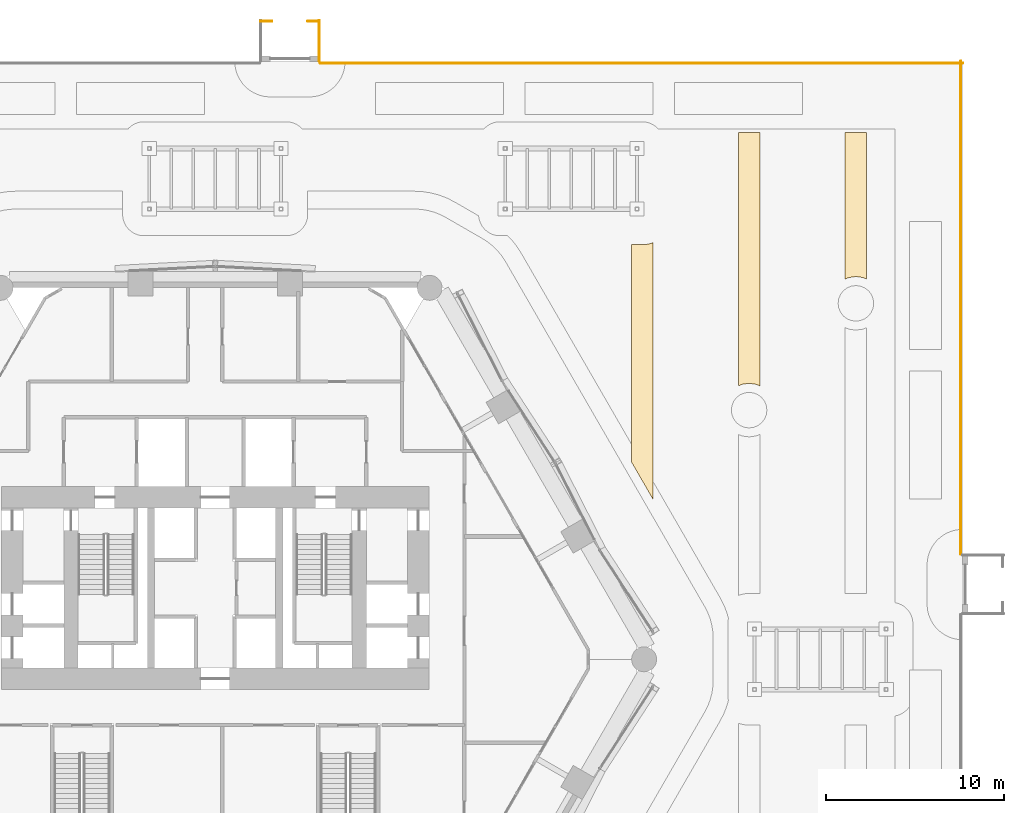
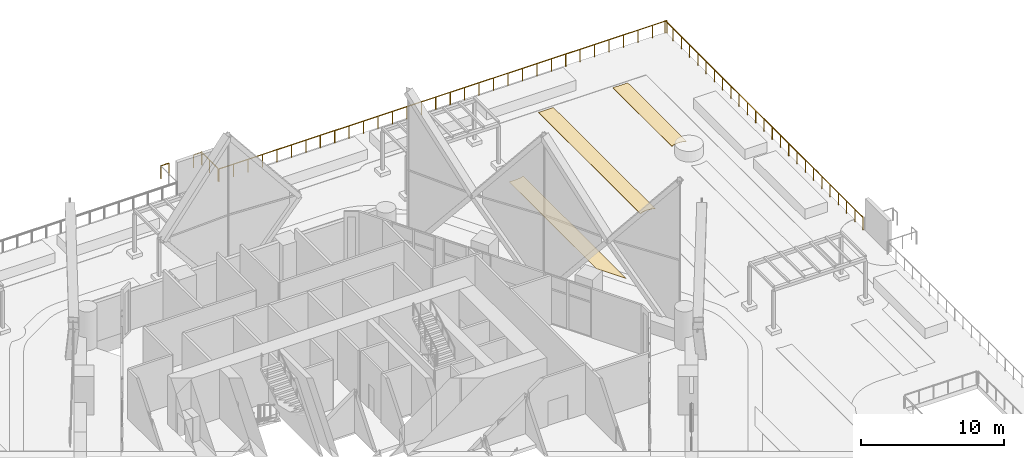
# One storey, part 71 of 71: 5 railings, 3 coverings.
"""IFC4 building model written with IfcOpenShell, lengths in metres."""

from ifc_helpers import new_model, si_unit, direction, frame, origin, origin_2d, place, context, subcontext, project, spatial, polyline, circle, outline, extrude, material, layer, layer_set, type_object, element, save


model = new_model("IFC4")

# Units and contexts
model_context = context("Model", 3, precision=1e-05, world=origin(), true_north=direction((0.0, 1.0)))
body_context = subcontext(model_context, "Body", "Model", "MODEL_VIEW")
ifc_project = project(units=[si_unit("LENGTHUNIT", "METRE"), si_unit("AREAUNIT", "SQUARE_METRE"), si_unit("VOLUMEUNIT", "CUBIC_METRE"), si_unit("PLANEANGLEUNIT", "RADIAN"), si_unit("MASSUNIT", "GRAM", prefix="KILO")], contexts=[model_context])

# Site, building, storey
site_placement = place(None, origin())
site = spatial("IfcSite", under=ifc_project, at=site_placement, CompositionType="ELEMENT")
building_placement = place(site_placement, origin())
building = spatial("IfcBuilding", under=site, at=building_placement, Name="Ostrander Bayou Hotel Tower", CompositionType="ELEMENT")
storey_placement = place(building_placement, frame((0.0, 0.0, 10.0)))
storey = spatial("IfcBuildingStorey", under=building, at=storey_placement, Name="L02", CompositionType="ELEMENT", Elevation=10.0)

# Coverings
ifc_material_1 = material(Name="Granite paving on bedding", Category="masonry")
ifc_layer = layer(ifc_material_1, 0.030029296875)
ifc_layer_set = layer_set([ifc_layer], Name="CV6 paving band 30 mm")
covering_type = type_object("IfcCoveringType", Name="CV6 paving band 30 mm", PredefinedType="FLOORING", material=ifc_layer_set)
covering_1_placement = place(storey_placement, origin())
element("IfcCovering", 1, at=covering_1_placement, inside=storey, type_object=covering_type, Name="PAVING STRIPE 20", PredefinedType="FLOORING", context=body_context, shape_type="SweptSolid", body=[
    extrude(outline(polyline([(24.60009765625, 8.99169921875), (23.39990234375, 11.070068359375), (23.39990234375, 23.300048828125), (24.0, 23.300048828125), (24.0244140625, 23.300537109375), (24.14208984375, 23.306396484375), (24.19091796875, 23.311279296875), (24.3076171875, 23.32861328125), (24.355712890625, 23.337890625), (24.4697265625, 23.36669921875), (24.516845703125, 23.380859375), (24.60009765625, 23.41064453125), (24.60009765625, 8.99169921875)])), origin(), (0.0, 0.0, 1.0), 0.030029296875),
])
covering_2_placement = place(storey_placement, origin())
element("IfcCovering", 2, at=covering_2_placement, inside=storey, type_object=covering_type, Name="PAVING STRIPE 21", PredefinedType="FLOORING", context=body_context, shape_type="SweptSolid", body=[
    extrude(outline(polyline([(30.60009765625, 29.60009765625), (30.60009765625, 15.36572265625), (30.4501953125, 15.427978515625), (30.4091796875, 15.44287109375), (30.366943359375, 15.4541015625), (30.32421875, 15.461669921875), (30.065185546875, 15.49560546875), (30.021728515625, 15.49951171875), (29.978271484375, 15.49951171875), (29.934814453125, 15.49560546875), (29.67578125, 15.461669921875), (29.633056640625, 15.4541015625), (29.5908203125, 15.44287109375), (29.5498046875, 15.427978515625), (29.39990234375, 15.36572265625), (29.39990234375, 29.60009765625), (30.60009765625, 29.60009765625)])), origin(), (0.0, 0.0, 1.0), 0.030029296875),
])
covering_3_placement = place(storey_placement, origin())
element("IfcCovering", 3, at=covering_3_placement, inside=storey, type_object=covering_type, Name="PAVING STRIPE 24", PredefinedType="FLOORING", context=body_context, shape_type="SweptSolid", body=[
    extrude(outline(polyline([(36.60009765625, 29.60009765625), (36.60009765625, 21.36572265625), (36.4501953125, 21.427978515625), (36.4091796875, 21.44287109375), (36.366943359375, 21.4541015625), (36.32421875, 21.461669921875), (36.065185546875, 21.49560546875), (36.021728515625, 21.49951171875), (35.978271484375, 21.49951171875), (35.934814453125, 21.49560546875), (35.67578125, 21.461669921875), (35.633056640625, 21.4541015625), (35.5908203125, 21.44287109375), (35.5498046875, 21.427978515625), (35.39990234375, 21.36572265625), (35.39990234375, 29.60009765625), (36.60009765625, 29.60009765625)])), origin(), (0.0, 0.0, 1.0), 0.030029296875),
])

# Railings
ifc_material_2 = material(Name="Stainless steel and clear glass", Category="steel")
railing_type = type_object("IfcRailingType", Name="GR1 guard 1100 mm", PredefinedType="GUARDRAIL", material=ifc_material_2)
railing_1_placement = place(storey_placement, frame((41.89990234375, 5.89990234375, 0.0)))
element("IfcRailing", 4, at=railing_1_placement, inside=storey, type_object=railing_type, Name="GR1 deck guard 13", PredefinedType="GUARDRAIL", context=body_context, shape_type="SweptSolid", body=[
    extrude(circle(Radius=0.02490234375, at=origin_2d()), frame((0.0, 0.0, 1.0751953125), z_axis=(0.0, 1.0, 0.0), x_axis=(-1.0, 0.0, 0.0)), (0.0, 0.0, 1.0), 27.7001953125),
    extrude(circle(Radius=0.02001953125, at=origin_2d()), origin(), (0.0, 0.0, 1.0), 1.050048828125),
    extrude(circle(Radius=0.02001953125, at=origin_2d()), frame((0.0, 1.154296875, 0.0)), (0.0, 0.0, 1.0), 1.050048828125),
    extrude(circle(Radius=0.02001953125, at=origin_2d()), frame((0.0, 2.308349609375, 0.0)), (0.0, 0.0, 1.0), 1.050048828125),
    extrude(circle(Radius=0.02001953125, at=origin_2d()), frame((0.0, 3.46240234375, 0.0)), (0.0, 0.0, 1.0), 1.050048828125),
    extrude(circle(Radius=0.02001953125, at=origin_2d()), frame((0.0, 4.61669921875, 0.0)), (0.0, 0.0, 1.0), 1.050048828125),
    extrude(circle(Radius=0.02001953125, at=origin_2d()), frame((0.0, 5.77099609375, 0.0)), (0.0, 0.0, 1.0), 1.050048828125),
    extrude(circle(Radius=0.02001953125, at=origin_2d()), frame((0.0, 6.925048828125, 0.0)), (0.0, 0.0, 1.0), 1.050048828125),
    extrude(circle(Radius=0.02001953125, at=origin_2d()), frame((0.0, 8.0791015625, 0.0)), (0.0, 0.0, 1.0), 1.050048828125),
    extrude(circle(Radius=0.02001953125, at=origin_2d()), frame((0.0, 9.2333984375, 0.0)), (0.0, 0.0, 1.0), 1.050048828125),
    extrude(circle(Radius=0.02001953125, at=origin_2d()), frame((0.0, 10.3876953125, 0.0)), (0.0, 0.0, 1.0), 1.050048828125),
    extrude(circle(Radius=0.02001953125, at=origin_2d()), frame((0.0, 11.541748046875, 0.0)), (0.0, 0.0, 1.0), 1.050048828125),
    extrude(circle(Radius=0.02001953125, at=origin_2d()), frame((0.0, 12.69580078125, 0.0)), (0.0, 0.0, 1.0), 1.050048828125),
    extrude(circle(Radius=0.02001953125, at=origin_2d()), frame((0.0, 13.85009765625, 0.0)), (0.0, 0.0, 1.0), 1.050048828125),
    extrude(circle(Radius=0.02001953125, at=origin_2d()), frame((0.0, 15.004150390625, 0.0)), (0.0, 0.0, 1.0), 1.050048828125),
    extrude(circle(Radius=0.02001953125, at=origin_2d()), frame((0.0, 16.158447265625, 0.0)), (0.0, 0.0, 1.0), 1.050048828125),
    extrude(circle(Radius=0.02001953125, at=origin_2d()), frame((0.0, 17.3125, 0.0)), (0.0, 0.0, 1.0), 1.050048828125),
    extrude(circle(Radius=0.02001953125, at=origin_2d()), frame((0.0, 18.466796875, 0.0)), (0.0, 0.0, 1.0), 1.050048828125),
    extrude(circle(Radius=0.02001953125, at=origin_2d()), frame((0.0, 19.62109375, 0.0)), (0.0, 0.0, 1.0), 1.050048828125),
    extrude(circle(Radius=0.02001953125, at=origin_2d()), frame((0.0, 20.775146484375, 0.0)), (0.0, 0.0, 1.0), 1.050048828125),
    extrude(circle(Radius=0.02001953125, at=origin_2d()), frame((0.0, 21.92919921875, 0.0)), (0.0, 0.0, 1.0), 1.050048828125),
    extrude(circle(Radius=0.02001953125, at=origin_2d()), frame((0.0, 23.08349609375, 0.0)), (0.0, 0.0, 1.0), 1.050048828125),
    extrude(circle(Radius=0.02001953125, at=origin_2d()), frame((0.0, 24.23779296875, 0.0)), (0.0, 0.0, 1.0), 1.050048828125),
    extrude(circle(Radius=0.02001953125, at=origin_2d()), frame((0.0, 25.391845703125, 0.0)), (0.0, 0.0, 1.0), 1.050048828125),
    extrude(circle(Radius=0.02001953125, at=origin_2d()), frame((0.0, 26.5458984375, 0.0)), (0.0, 0.0, 1.0), 1.050048828125),
    extrude(circle(Radius=0.02001953125, at=origin_2d()), frame((0.0, 27.7001953125, 0.0)), (0.0, 0.0, 1.0), 1.050048828125),
])
railing_2_placement = place(storey_placement, frame((42.0, 33.5, 0.0)))
element("IfcRailing", 5, at=railing_2_placement, inside=storey, type_object=railing_type, Name="GR1 deck guard 14", PredefinedType="GUARDRAIL", context=body_context, shape_type="SweptSolid", body=[
    extrude(circle(Radius=0.02490234375, at=origin_2d()), frame((0.0, 0.0, 1.0751953125), z_axis=(-1.0, 0.0, 0.0), x_axis=(0.0, -1.0, 0.0)), (0.0, 0.0, 1.0), 36.10009765625),
    extrude(circle(Radius=0.02001953125, at=origin_2d()), origin(), (0.0, 0.0, 1.0), 1.050048828125),
    extrude(circle(Radius=0.02001953125, at=origin_2d()), frame((-1.16455078125, 0.0, 0.0)), (0.0, 0.0, 1.0), 1.050048828125),
    extrude(circle(Radius=0.02001953125, at=origin_2d()), frame((-2.3291015625, 0.0, 0.0)), (0.0, 0.0, 1.0), 1.050048828125),
    extrude(circle(Radius=0.02001953125, at=origin_2d()), frame((-3.49365234375, 0.0, 0.0)), (0.0, 0.0, 1.0), 1.050048828125),
    extrude(circle(Radius=0.02001953125, at=origin_2d()), frame((-4.657958984375, 0.0, 0.0)), (0.0, 0.0, 1.0), 1.050048828125),
    extrude(circle(Radius=0.02001953125, at=origin_2d()), frame((-5.822509765625, 0.0, 0.0)), (0.0, 0.0, 1.0), 1.050048828125),
    extrude(circle(Radius=0.02001953125, at=origin_2d()), frame((-6.987060546875, 0.0, 0.0)), (0.0, 0.0, 1.0), 1.050048828125),
    extrude(circle(Radius=0.02001953125, at=origin_2d()), frame((-8.151611328125, 0.0, 0.0)), (0.0, 0.0, 1.0), 1.050048828125),
    extrude(circle(Radius=0.02001953125, at=origin_2d()), frame((-9.316162109375, 0.0, 0.0)), (0.0, 0.0, 1.0), 1.050048828125),
    extrude(circle(Radius=0.02001953125, at=origin_2d()), frame((-10.480712890625, 0.0, 0.0)), (0.0, 0.0, 1.0), 1.050048828125),
    extrude(circle(Radius=0.02001953125, at=origin_2d()), frame((-11.645263671875, 0.0, 0.0)), (0.0, 0.0, 1.0), 1.050048828125),
    extrude(circle(Radius=0.02001953125, at=origin_2d()), frame((-12.809814453125, 0.0, 0.0)), (0.0, 0.0, 1.0), 1.050048828125),
    extrude(circle(Radius=0.02001953125, at=origin_2d()), frame((-13.97412109375, 0.0, 0.0)), (0.0, 0.0, 1.0), 1.050048828125),
    extrude(circle(Radius=0.02001953125, at=origin_2d()), frame((-15.138671875, 0.0, 0.0)), (0.0, 0.0, 1.0), 1.050048828125),
    extrude(circle(Radius=0.02001953125, at=origin_2d()), frame((-16.30322265625, 0.0, 0.0)), (0.0, 0.0, 1.0), 1.050048828125),
    extrude(circle(Radius=0.02001953125, at=origin_2d()), frame((-17.4677734375, 0.0, 0.0)), (0.0, 0.0, 1.0), 1.050048828125),
    extrude(circle(Radius=0.02001953125, at=origin_2d()), frame((-18.63232421875, 0.0, 0.0)), (0.0, 0.0, 1.0), 1.050048828125),
    extrude(circle(Radius=0.02001953125, at=origin_2d()), frame((-19.796875, 0.0, 0.0)), (0.0, 0.0, 1.0), 1.050048828125),
    extrude(circle(Radius=0.02001953125, at=origin_2d()), frame((-20.96142578125, 0.0, 0.0)), (0.0, 0.0, 1.0), 1.050048828125),
    extrude(circle(Radius=0.02001953125, at=origin_2d()), frame((-22.1259765625, 0.0, 0.0)), (0.0, 0.0, 1.0), 1.050048828125),
    extrude(circle(Radius=0.02001953125, at=origin_2d()), frame((-23.290283203125, 0.0, 0.0)), (0.0, 0.0, 1.0), 1.050048828125),
    extrude(circle(Radius=0.02001953125, at=origin_2d()), frame((-24.454833984375, 0.0, 0.0)), (0.0, 0.0, 1.0), 1.050048828125),
    extrude(circle(Radius=0.02001953125, at=origin_2d()), frame((-25.619384765625, 0.0, 0.0)), (0.0, 0.0, 1.0), 1.050048828125),
    extrude(circle(Radius=0.02001953125, at=origin_2d()), frame((-26.783935546875, 0.0, 0.0)), (0.0, 0.0, 1.0), 1.050048828125),
    extrude(circle(Radius=0.02001953125, at=origin_2d()), frame((-27.948486328125, 0.0, 0.0)), (0.0, 0.0, 1.0), 1.050048828125),
    extrude(circle(Radius=0.02001953125, at=origin_2d()), frame((-29.113037109375, 0.0, 0.0)), (0.0, 0.0, 1.0), 1.050048828125),
    extrude(circle(Radius=0.02001953125, at=origin_2d()), frame((-30.277587890625, 0.0, 0.0)), (0.0, 0.0, 1.0), 1.050048828125),
    extrude(circle(Radius=0.02001953125, at=origin_2d()), frame((-31.442138671875, 0.0, 0.0)), (0.0, 0.0, 1.0), 1.050048828125),
    extrude(circle(Radius=0.02001953125, at=origin_2d()), frame((-32.6064453125, 0.0, 0.0)), (0.0, 0.0, 1.0), 1.050048828125),
    extrude(circle(Radius=0.02001953125, at=origin_2d()), frame((-33.77099609375, 0.0, 0.0)), (0.0, 0.0, 1.0), 1.050048828125),
    extrude(circle(Radius=0.02001953125, at=origin_2d()), frame((-34.935546875, 0.0, 0.0)), (0.0, 0.0, 1.0), 1.050048828125),
    extrude(circle(Radius=0.02001953125, at=origin_2d()), frame((-36.10009765625, 0.0, 0.0)), (0.0, 0.0, 1.0), 1.050048828125),
])
railing_3_placement = place(storey_placement, frame((5.85009765625, 33.60009765625, 0.0)))
element("IfcRailing", 6, at=railing_3_placement, inside=storey, type_object=railing_type, Name="GR1 landing guard NL", PredefinedType="GUARDRAIL", context=body_context, shape_type="SweptSolid", body=[
    extrude(circle(Radius=0.02490234375, at=origin_2d()), frame((0.0, 0.0, 1.0751953125), z_axis=(0.0, 1.0, 0.0), x_axis=(-1.0, 0.0, 0.0)), (0.0, 0.0, 1.0), 2.2998046875),
    extrude(circle(Radius=0.02001953125, at=origin_2d()), origin(), (0.0, 0.0, 1.0), 1.050048828125),
    extrude(circle(Radius=0.02001953125, at=origin_2d()), frame((0.0, 1.14990234375, 0.0)), (0.0, 0.0, 1.0), 1.050048828125),
    extrude(circle(Radius=0.02001953125, at=origin_2d()), frame((0.0, 2.2998046875, 0.0)), (0.0, 0.0, 1.0), 1.050048828125),
])
railing_4_placement = place(storey_placement, frame((5.85009765625, 35.85009765625, 0.0)))
element("IfcRailing", 7, at=railing_4_placement, inside=storey, type_object=railing_type, Name="GR1 landing end guard NL", PredefinedType="GUARDRAIL", context=body_context, shape_type="SweptSolid", body=[
    extrude(circle(Radius=0.02490234375, at=origin_2d()), frame((0.0, 0.0, 1.0751953125), z_axis=(-1.0, 0.0, 0.0), x_axis=(0.0, -1.0, 0.0)), (0.0, 0.0, 1.0), 0.650146484375),
    extrude(circle(Radius=0.02001953125, at=origin_2d()), origin(), (0.0, 0.0, 1.0), 1.050048828125),
    extrude(circle(Radius=0.02001953125, at=origin_2d()), frame((-0.650146484375, 0.0, 0.0)), (0.0, 0.0, 1.0), 1.050048828125),
])
railing_5_placement = place(storey_placement, frame((2.550048828125, 35.85009765625, 0.0)))
element("IfcRailing", 8, at=railing_5_placement, inside=storey, type_object=railing_type, Name="GR1 landing end guard NR", PredefinedType="GUARDRAIL", context=body_context, shape_type="SweptSolid", body=[
    extrude(circle(Radius=0.02490234375, at=origin_2d()), frame((0.0, 0.0, 1.0751953125), z_axis=(1.0, 0.0, 0.0), x_axis=(0.0, 1.0, 0.0)), (0.0, 0.0, 1.0), 0.64990234375),
    extrude(circle(Radius=0.02001953125, at=origin_2d()), origin(), (0.0, 0.0, 1.0), 1.050048828125),
    extrude(circle(Radius=0.02001953125, at=origin_2d()), frame((0.64990234375, 0.0, 0.0)), (0.0, 0.0, 1.0), 1.050048828125),
])

save(model, "model.ifc")
